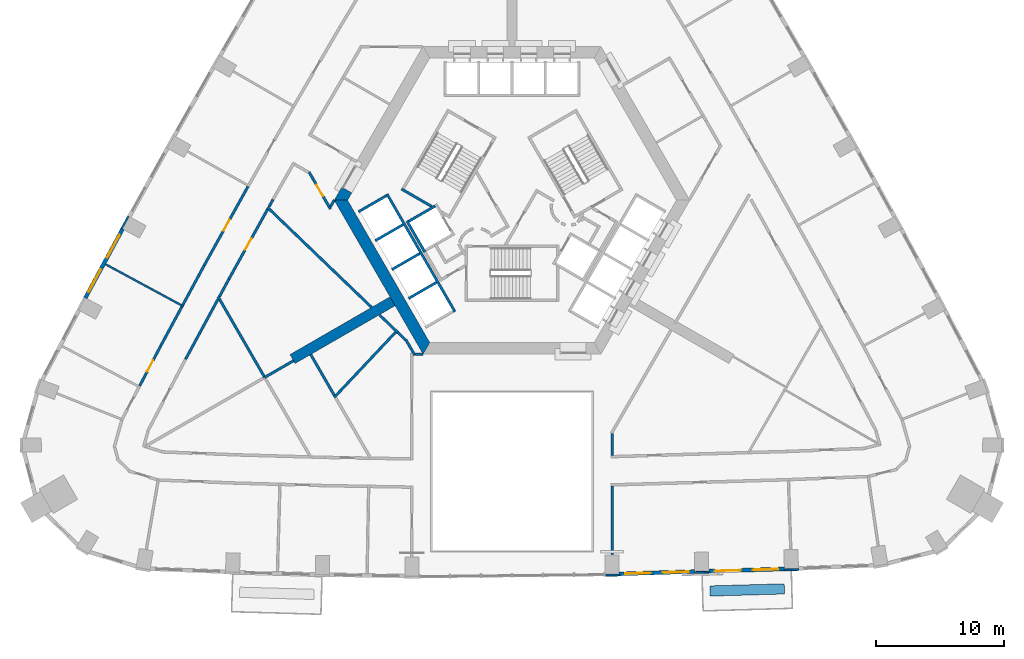
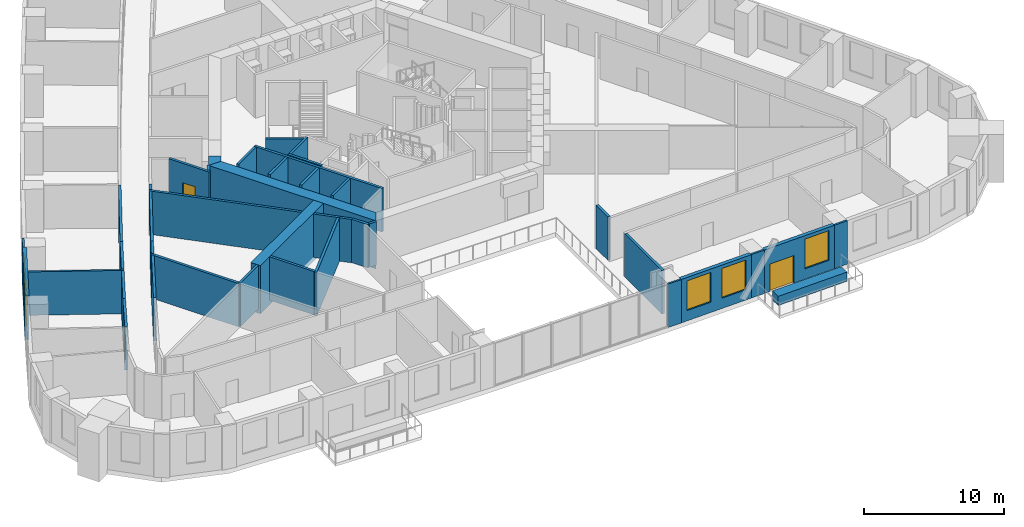
# One storey, part 5 of 14: 41 walls, 5 doors, 5 windows, 10 openings.
"""IFC4 building model written with IfcOpenShell, lengths in metres."""

from ifc_helpers import new_model, si_unit, direction, frame, frame_2d, origin, place, context, subcontext, project, spatial, polyline, rectangle, outline, extrude, material, layer, layer_set, type_object, element, fill, save


model = new_model("IFC4")

# Units and contexts
model_context = context("Model", 3, precision=1e-05, world=origin(), true_north=direction((0.0, 1.0)))
body_context = subcontext(model_context, "Body", "Model", "MODEL_VIEW")
ifc_project = project(units=[si_unit("LENGTHUNIT", "METRE"), si_unit("AREAUNIT", "SQUARE_METRE"), si_unit("VOLUMEUNIT", "CUBIC_METRE"), si_unit("PLANEANGLEUNIT", "RADIAN"), si_unit("MASSUNIT", "GRAM", prefix="KILO")], contexts=[model_context])

# Site, building, storey
site_placement = place(None, origin())
site = spatial("IfcSite", under=ifc_project, at=site_placement, CompositionType="ELEMENT")
building_placement = place(site_placement, origin())
building = spatial("IfcBuilding", under=site, at=building_placement, Name="Entoto Arch Interchange Tower", CompositionType="ELEMENT")
storey_placement = place(building_placement, frame((0.0, 0.0, 103.39990234375)))
storey = spatial("IfcBuildingStorey", under=building, at=storey_placement, Name="L22", CompositionType="ELEMENT", Elevation=103.39990234375)

# Walls
ifc_material_1 = material(Name="Concrete C60/75", Category="concrete")
ifc_layer_1 = layer(ifc_material_1, 0.800048828125)
ifc_layer_set_1 = layer_set([ifc_layer_1], Name="Concrete C60/75")
wall_type_1 = type_object("IfcWallType", Name="Buttress wall 800 C60/75", PredefinedType="SHEAR", material=ifc_layer_set_1)
wall_1_placement = place(storey_placement, frame((-9.31005859375, -5.375, -0.39990234375), z_axis=(0.0, 0.0, 1.0), x_axis=(-0.866017533419, -0.500013631625, 0.0)))
element("IfcWall", 1, at=wall_1_placement, inside=storey, type_object=wall_type_1, Name="Buttress wall SW L22", PredefinedType="SHEAR", context=body_context, shape_type="SweptSolid", body=[
    extrude(rectangle(XDim=8.999755859375, YDim=0.800048828125, at=frame_2d((4.5, 0.0))), origin(), (0.0, 0.0, 1.0), 4.199951171875),
])
ifc_layer_2 = layer(ifc_material_1, 0.89990234375)
ifc_layer_set_2 = layer_set([ifc_layer_2], Name="Concrete C60/75")
wall_type_2 = type_object("IfcWallType", Name="Core wall 900 C60/75", PredefinedType="SHEAR", material=ifc_layer_set_2)
wall_2_placement = place(storey_placement, frame((0.0, 0.0, -0.39990234375)))
element("IfcWall", 2, at=wall_2_placement, inside=storey, type_object=wall_type_2, Name="Core wall NW L22", PredefinedType="SHEAR", context=body_context, shape_type="SweptSolid", body=[
    extrude(outline(polyline([(-12.488037109375, 3.070068359375), (-13.26708984375, 3.52001953125), (-13.85595703125, 2.5), (-12.81689453125, 2.5), (-12.488037109375, 3.070068359375)])), origin(), (0.0, 0.0, 1.0), 4.199951171875),
])
wall_3_placement = place(storey_placement, frame((0.0, 0.0, -0.39990234375)))
element("IfcWall", 3, at=wall_3_placement, inside=storey, type_object=wall_type_2, Name="Core wall SW L22", PredefinedType="SHEAR", context=body_context, shape_type="SweptSolid", body=[
    extrude(outline(polyline([(-13.85595703125, 2.5), (-6.927978515625, -9.5), (-6.408935546875, -8.60009765625), (-12.81689453125, 2.5), (-13.85595703125, 2.5)])), origin(), (0.0, 0.0, 1.0), 4.199951171875),
])
ifc_material_2 = material(Name="Concrete C40/50", Category="concrete")
ifc_layer_3 = layer(ifc_material_2, 0.199951171875)
ifc_layer_set_3 = layer_set([ifc_layer_3], Name="Concrete C40/50")
wall_type_3 = type_object("IfcWallType", Name="LIFT SHAFT WALL 200", PredefinedType="STANDARD", material=ifc_layer_set_3)
wall_4_placement = place(storey_placement, frame((-8.19189453125, 0.887939453125, 0.0), z_axis=(0.0, 0.0, 1.0), x_axis=(0.49994636267, -0.866056369097, 0.0)))
element("IfcWall", 4, at=wall_4_placement, inside=storey, type_object=wall_type_3, Name="Shaft wall SW1 back", PredefinedType="STANDARD", context=body_context, shape_type="SweptSolid", body=[
    extrude(rectangle(XDim=2.800048828125, YDim=0.199951171875, at=frame_2d((1.39990234375, 0.0))), origin(), (0.0, 0.0, 1.0), 3.800048828125),
])
wall_5_placement = place(storey_placement, frame((-5.97705078125, 2.052001953125, 0.0), z_axis=(0.0, 0.0, 1.0), x_axis=(-0.865973769406, -0.500089422704, 0.0)))
element("IfcWall", 5, at=wall_5_placement, inside=storey, type_object=wall_type_3, Name="Shaft wall SW1 cross 1", PredefinedType="STANDARD", context=body_context, shape_type="SweptSolid", body=[
    extrude(rectangle(XDim=2.3994140625, YDim=0.199951171875, at=frame_2d((1.19970703125, 0.0))), origin(), (0.0, 0.0, 1.0), 3.800048828125),
])
wall_6_placement = place(storey_placement, frame((-9.7509765625, 2.989990234375, 0.0), z_axis=(0.0, 0.0, 1.0), x_axis=(0.50000090737, -0.866024879913, 0.0)))
element("IfcWall", 6, at=wall_6_placement, inside=storey, type_object=wall_type_3, Name="Shaft wall SW3 front", PredefinedType="STANDARD", context=body_context, shape_type="SweptSolid", body=[
    extrude(rectangle(XDim=10.60009765625, YDim=0.199951171875, at=frame_2d((5.300048828125, 0.0))), origin(), (0.0, 0.0, 1.0), 3.800048828125),
])
wall_7_placement = place(storey_placement, frame((-9.7880859375, 2.85302734375, 0.0), z_axis=(0.0, 0.0, 1.0), x_axis=(-0.865998541277, -0.500046524342, 0.0)))
element("IfcWall", 7, at=wall_7_placement, inside=storey, type_object=wall_type_3, Name="Shaft wall SW3 cross 1", PredefinedType="STANDARD", context=body_context, shape_type="SweptSolid", body=[
    extrude(rectangle(XDim=2.499755859375, YDim=0.199951171875, at=frame_2d((1.25, 0.0))), origin(), (0.0, 0.0, 1.0), 3.800048828125),
])
for number, where, z_axis, x_axis, name in (
    (8, (-8.488037109375, 0.60205078125, 0.0), (0.0, 0.0, 1.0), (-0.866022959057, -0.500004234368, 0.0), "Shaft wall SW3 cross 2"),
    (9, (-7.18798828125, -1.64990234375, 0.0), (0.0, 0.0, 1.0), (-0.866022959057, -0.500004234368, 0.0), "Shaft wall SW3 cross 3"),
    (10, (-5.887939453125, -3.902099609375, 0.0), (0.0, 0.0, 1.0), (-0.866022959057, -0.500004234368, 0.0), "Shaft wall SW3 cross 4"),
):
    element("IfcWall", number, at=place(storey_placement, frame(where, z_axis=z_axis, x_axis=x_axis)), inside=storey, type_object=wall_type_3, Name=name, PredefinedType="STANDARD", context=body_context, shape_type="SweptSolid", body=[
        extrude(rectangle(XDim=2.5, YDim=0.199951171875, at=frame_2d((1.25, 0.0))), origin(), (0.0, 0.0, 1.0), 3.800048828125),
    ])
ifc_material_3 = material(Name="Gypsum board partition on steel studs", Category="steel")
ifc_layer_4 = layer(ifc_material_3, 0.14990234375)
ifc_layer_set_4 = layer_set([ifc_layer_4], Name="Gypsum board partition on steel studs")
wall_type_4 = type_object("IfcWallType", Name="PARTITION 150", PredefinedType="PARTITIONING", material=ifc_layer_set_4)
wall_8_placement = place(storey_placement, frame((-25.60595703125, -5.77490234375, 0.0), z_axis=(0.0, 0.0, 1.0), x_axis=(-0.87974530848, 0.475445256793, 0.0)))
element("IfcWall", 11, at=wall_8_placement, inside=storey, type_object=wall_type_4, Name="wall:L22:p150", PredefinedType="PARTITIONING", context=body_context, shape_type="SweptSolid", body=[
    extrude(rectangle(XDim=6.90087890625, YDim=0.14990234375, at=frame_2d((3.450439453125, 0.0))), origin(), (0.0, 0.0, 1.0), 3.800048828125),
])
ifc_layer_5 = layer(ifc_material_3, 0.199951171875)
ifc_layer_set_5 = layer_set([ifc_layer_5], Name="Gypsum board partition on steel studs")
wall_type_5 = type_object("IfcWallType", Name="PARTITION 200", PredefinedType="PARTITIONING", material=ifc_layer_set_5)
wall_9_placement = place(storey_placement, frame((-13.85009765625, 2.513916015625, 0.0), z_axis=(0.0, 0.0, 1.0), x_axis=(-0.500418219013, -0.865783810244, 0.0)))
element("IfcWall", 12, at=wall_9_placement, inside=storey, type_object=wall_type_5, Name="wall:L22:p027", PredefinedType="PARTITIONING", context=body_context, shape_type="SweptSolid", body=[
    extrude(rectangle(XDim=0.607421875, YDim=0.199951171875, at=frame_2d((0.3037109375, 0.0))), origin(), (0.0, 0.0, 1.0), 3.800048828125),
])

# Wall, opening, door
wall_10_placement = place(storey_placement, frame((-14.154052734375, 1.81494140625, 0.0), z_axis=(0.0, 0.0, 1.0), x_axis=(-0.500038857296, 0.866002968352, 0.0)))
wall_10 = element("IfcWall", 13, at=wall_10_placement, inside=storey, type_object=wall_type_5, Name="wall:L22:p028", PredefinedType="PARTITIONING", context=body_context, shape_type="SweptSolid", body=[
    extrude(rectangle(XDim=3.339599609375, YDim=0.199951171875, at=frame_2d((1.669921875, 0.0))), origin(), (0.0, 0.0, 1.0), 3.800048828125),
])
opening_1_placement = place(wall_10_placement, frame((1.169921875, 0.0, 0.0)))
opening_1 = element("IfcOpeningElement", 14, at=opening_1_placement, cuts=wall_10, Name="Opening L22-D26", PredefinedType="OPENING", context=body_context, shape_type="SweptSolid", body=[
    extrude(rectangle(XDim=1.0, YDim=2.10009765625, at=frame_2d((0.5, 1.050048828125))), frame((0.0, 0.10986328125, 0.0), z_axis=(0.0, -1.0, 0.0), x_axis=(1.0, 0.0, 0.0)), (0.0, 0.0, 1.0), 0.219970703125),
])
ifc_material_4 = material(Name="Timber door leaf in Steel S235 frame", Category="steel")
door_type_1 = type_object("IfcDoorType", Name="DOOR DS-10 1000x2100", OperationType="SINGLE_SWING_LEFT", PredefinedType="DOOR", material=ifc_material_4)
door_1_placement = place(opening_1_placement, origin())
door_1 = element("IfcDoor", 15, at=door_1_placement, inside=storey, type_object=door_type_1, Name="door:L22:26", OperationType="SINGLE_SWING_LEFT", OverallHeight=2.10009765625, OverallWidth=1.0, PredefinedType="DOOR", context=body_context, shape_type="SweptSolid", body=[
    extrude(rectangle(XDim=1.0, YDim=2.10009765625, at=frame_2d((0.5, 1.050048828125))), frame((0.0, 0.02490234375, 0.0), z_axis=(0.0, -1.0, 0.0), x_axis=(1.0, 0.0, 0.0)), (0.0, 0.0, 1.0), 0.050048828125),
])
fill(opening_1, door_1)

# Wall
wall_11_placement = place(storey_placement, frame((-18.626953125, 2.556884765625, 0.0), z_axis=(0.0, 0.0, 1.0), x_axis=(-0.484771582084, -0.874640790956, 0.0)))
element("IfcWall", 16, at=wall_11_placement, inside=storey, type_object=wall_type_5, Name="wall:L22:p031", PredefinedType="PARTITIONING", context=body_context, shape_type="SweptSolid", body=[
    extrude(rectangle(XDim=0.666259765625, YDim=0.199951171875, at=frame_2d((0.3330078125, 0.0))), origin(), (0.0, 0.0, 1.0), 3.800048828125),
])

# Wall, opening, door
wall_12_placement = place(storey_placement, frame((-19.047119140625, 1.799072265625, 0.0), z_axis=(0.0, 0.0, 1.0), x_axis=(-0.485240396382, -0.87438078531, 0.0)))
wall_12 = element("IfcWall", 17, at=wall_12_placement, inside=storey, type_object=wall_type_5, Name="wall:L22:p033", PredefinedType="PARTITIONING", context=body_context, shape_type="SweptSolid", body=[
    extrude(rectangle(XDim=6.231689453125, YDim=0.199951171875, at=frame_2d((3.11572265625, 0.0))), origin(), (0.0, 0.0, 1.0), 3.800048828125),
])
opening_2_placement = place(wall_12_placement, frame((2.615966796875, 0.0, 0.0)))
opening_2 = element("IfcOpeningElement", 18, at=opening_2_placement, cuts=wall_12, Name="Opening L22-D28", PredefinedType="OPENING", context=body_context, shape_type="SweptSolid", body=[
    extrude(rectangle(XDim=1.0, YDim=2.10009765625, at=frame_2d((0.5, 1.050048828125))), frame((0.0, 0.10986328125, 0.0), z_axis=(0.0, -1.0, 0.0), x_axis=(1.0, 0.0, 0.0)), (0.0, 0.0, 1.0), 0.219970703125),
])
door_2_placement = place(opening_2_placement, origin())
door_2 = element("IfcDoor", 19, at=door_2_placement, inside=storey, type_object=door_type_1, Name="door:L22:28", OperationType="SINGLE_SWING_LEFT", OverallHeight=2.10009765625, OverallWidth=1.0, PredefinedType="DOOR", context=body_context, shape_type="SweptSolid", body=[
    extrude(rectangle(XDim=1.0, YDim=2.10009765625, at=frame_2d((0.5, 1.050048828125))), frame((0.0, 0.02490234375, 0.0), z_axis=(0.0, -1.0, 0.0), x_axis=(1.0, 0.0, 0.0)), (0.0, 0.0, 1.0), 0.050048828125),
])
fill(opening_2, door_2)

# Walls
wall_13_placement = place(storey_placement, frame((-22.071044921875, -3.64990234375, 0.0), z_axis=(0.0, 0.0, 1.0), x_axis=(-0.475212034938, -0.879871309823, 0.0)))
element("IfcWall", 20, at=wall_13_placement, inside=storey, type_object=wall_type_5, Name="wall:L22:p034", PredefinedType="PARTITIONING", context=body_context, shape_type="SweptSolid", body=[
    extrude(rectangle(XDim=1.55712890625, YDim=0.199951171875, at=frame_2d((0.778564453125, 0.0))), origin(), (0.0, 0.0, 1.0), 3.800048828125),
])
wall_14_placement = place(storey_placement, frame((-22.906005859375, -5.196044921875, 0.0), z_axis=(0.0, 0.0, 1.0), x_axis=(-0.475448213767, -0.879743710421, 0.0)))
element("IfcWall", 21, at=wall_14_placement, inside=storey, type_object=wall_type_5, Name="wall:L22:p037", PredefinedType="PARTITIONING", context=body_context, shape_type="SweptSolid", body=[
    extrude(rectangle(XDim=5.342529296875, YDim=0.199951171875, at=frame_2d((2.67138671875, 0.0))), origin(), (0.0, 0.0, 1.0), 3.800048828125),
])
wall_15_placement = place(storey_placement, frame((-25.657958984375, -5.660888671875, 0.0), z_axis=(0.0, 0.0, 1.0), x_axis=(0.47543942367, 0.87974846088, 0.0)))
element("IfcWall", 22, at=wall_15_placement, inside=storey, type_object=wall_type_5, Name="wall:L22:p070", PredefinedType="PARTITIONING", context=body_context, shape_type="SweptSolid", body=[
    extrude(rectangle(XDim=3.4873046875, YDim=0.199951171875, at=frame_2d((1.74365234375, 0.0))), origin(), (0.0, 0.0, 1.0), 3.800048828125),
])

# Wall, opening, door
wall_16_placement = place(storey_placement, frame((-24.0, -2.593017578125, 0.0), z_axis=(0.0, 0.0, 1.0), x_axis=(0.485148833338, 0.874431592242, 0.0)))
wall_16 = element("IfcWall", 23, at=wall_16_placement, inside=storey, type_object=wall_type_5, Name="wall:L22:p071", PredefinedType="PARTITIONING", context=body_context, shape_type="SweptSolid", body=[
    extrude(rectangle(XDim=7.04931640625, YDim=0.199951171875, at=frame_2d((3.524658203125, 0.0))), origin(), (0.0, 0.0, 1.0), 3.800048828125),
])
opening_3_placement = place(wall_16_placement, frame((3.09912109375, 0.0, 0.0)))
opening_3 = element("IfcOpeningElement", 24, at=opening_3_placement, cuts=wall_16, Name="Opening L22-D14", PredefinedType="OPENING", context=body_context, shape_type="SweptSolid", body=[
    extrude(rectangle(XDim=1.0, YDim=2.10009765625, at=frame_2d((0.5, 1.050048828125))), frame((0.0, 0.10986328125, 0.0), z_axis=(0.0, -1.0, 0.0), x_axis=(1.0, 0.0, 0.0)), (0.0, 0.0, 1.0), 0.219970703125),
])
door_3_placement = place(opening_3_placement, origin())
door_3 = element("IfcDoor", 25, at=door_3_placement, inside=storey, type_object=door_type_1, Name="door:L22:14", OperationType="SINGLE_SWING_LEFT", OverallHeight=2.10009765625, OverallWidth=1.0, PredefinedType="DOOR", context=body_context, shape_type="SweptSolid", body=[
    extrude(rectangle(XDim=1.0, YDim=2.10009765625, at=frame_2d((0.5, 1.050048828125))), frame((0.0, 0.02490234375, 0.0), z_axis=(0.0, -1.0, 0.0), x_axis=(1.0, 0.0, 0.0)), (0.0, 0.0, 1.0), 0.050048828125),
])
fill(opening_3, door_3)

wall_17_placement = place(storey_placement, frame((-29.02294921875, -11.971923828125, 0.0), z_axis=(0.0, 0.0, 1.0), x_axis=(0.465457263931, 0.885070356217, 0.0)))
wall_17 = element("IfcWall", 26, at=wall_17_placement, inside=storey, type_object=wall_type_5, Name="wall:L22:p072", PredefinedType="PARTITIONING", context=body_context, shape_type="SweptSolid", body=[
    extrude(rectangle(XDim=3.514892578125, YDim=0.199951171875, at=frame_2d((1.75732421875, 0.0))), origin(), (0.0, 0.0, 1.0), 3.800048828125),
])
opening_4_placement = place(wall_17_placement, frame((1.257080078125, 0.0, 0.0)))
opening_4 = element("IfcOpeningElement", 27, at=opening_4_placement, cuts=wall_17, Name="Opening L22-D15", PredefinedType="OPENING", context=body_context, shape_type="SweptSolid", body=[
    extrude(rectangle(XDim=1.0, YDim=2.10009765625, at=frame_2d((0.5, 1.050048828125))), frame((0.0, 0.10986328125, 0.0), z_axis=(0.0, -1.0, 0.0), x_axis=(1.0, 0.0, 0.0)), (0.0, 0.0, 1.0), 0.219970703125),
])
door_4_placement = place(opening_4_placement, origin())
door_4 = element("IfcDoor", 28, at=door_4_placement, inside=storey, type_object=door_type_1, Name="door:L22:15", OperationType="SINGLE_SWING_RIGHT", OverallHeight=2.10009765625, OverallWidth=1.0, PredefinedType="DOOR", context=body_context, shape_type="SweptSolid", body=[
    extrude(rectangle(XDim=1.0, YDim=2.10009765625, at=frame_2d((0.5, 1.050048828125))), frame((0.0, 0.02490234375, 0.0), z_axis=(0.0, -1.0, 0.0), x_axis=(1.0, 0.0, 0.0)), (0.0, 0.0, 1.0), 0.050048828125),
])
fill(opening_4, door_4)

# Walls
wall_18_placement = place(storey_placement, frame((-27.386962890625, -8.861083984375, 0.0), z_axis=(0.0, 0.0, 1.0), x_axis=(0.475193364801, 0.879881393171, 0.0)))
element("IfcWall", 29, at=wall_18_placement, inside=storey, type_object=wall_type_5, Name="wall:L22:p073", PredefinedType="PARTITIONING", context=body_context, shape_type="SweptSolid", body=[
    extrude(rectangle(XDim=3.487060546875, YDim=0.199951171875, at=frame_2d((1.74365234375, 0.0))), origin(), (0.0, 0.0, 1.0), 3.800048828125),
])
wall_19_placement = place(storey_placement, frame((7.800048828125, -15.68994140625, 0.0), z_axis=(0.0, 0.0, 1.0), x_axis=(0.0, -1.0, 0.0)))
element("IfcWall", 30, at=wall_19_placement, inside=storey, type_object=wall_type_5, Name="wall:L22:p115", PredefinedType="PARTITIONING", context=body_context, shape_type="SweptSolid", body=[
    extrude(rectangle(XDim=1.699951171875, YDim=0.199951171875, at=frame_2d((0.85009765625, 0.0))), origin(), (0.0, 0.0, 1.0), 3.800048828125),
])
wall_20_placement = place(storey_placement, frame((-7.52197265625, -9.4990234375, 0.0), z_axis=(0.0, 0.0, 1.0), x_axis=(1.0, 0.0, 0.0)))
element("IfcWall", 31, at=wall_20_placement, inside=storey, type_object=wall_type_5, Name="wall:L22:p116", PredefinedType="PARTITIONING", context=body_context, shape_type="SweptSolid", body=[
    extrude(rectangle(XDim=0.593017578125, YDim=0.199951171875, at=frame_2d((0.29638671875, 0.0))), origin(), (0.0, 0.0, 1.0), 3.800048828125),
])
wall_21_placement = place(storey_placement, frame((7.800048828125, -19.791015625, 0.0), z_axis=(0.0, 0.0, 1.0), x_axis=(0.0, -1.0, 0.0)))
element("IfcWall", 32, at=wall_21_placement, inside=storey, type_object=wall_type_5, Name="wall:L22:p118", PredefinedType="PARTITIONING", context=body_context, shape_type="SweptSolid", body=[
    extrude(rectangle(XDim=5.3330078125, YDim=0.199951171875, at=frame_2d((2.66650390625, 0.0))), origin(), (0.0, 0.0, 1.0), 3.800048828125),
])
wall_22_placement = place(storey_placement, frame((-8.929931640625, -7.782958984375, 0.0), z_axis=(0.0, 0.0, 1.0), x_axis=(0.720954255291, -0.692982656189, 0.0)))
element("IfcWall", 33, at=wall_22_placement, inside=storey, type_object=wall_type_5, Name="wall:L22:p127", PredefinedType="PARTITIONING", context=body_context, shape_type="SweptSolid", body=[
    extrude(rectangle(XDim=0.890380859375, YDim=0.199951171875, at=frame_2d((0.4453125, 0.0))), origin(), (0.0, 0.0, 1.0), 3.800048828125),
])
wall_23_placement = place(storey_placement, frame((-7.572021484375, -9.5859375, 0.0), z_axis=(0.0, 0.0, 1.0), x_axis=(-0.499484152563, 0.866323023669, 0.0)))
element("IfcWall", 34, at=wall_23_placement, inside=storey, type_object=wall_type_5, Name="wall:L22:p128", PredefinedType="PARTITIONING", context=body_context, shape_type="SweptSolid", body=[
    extrude(rectangle(XDim=1.3896484375, YDim=0.199951171875, at=frame_2d((0.69482421875, 0.0))), origin(), (0.0, 0.0, 1.0), 3.800048828125),
])
wall_24_placement = place(storey_placement, frame((-8.929931640625, -7.782958984375, 0.0), z_axis=(0.0, 0.0, 1.0), x_axis=(-0.72124523191, 0.692679807305, 0.0)))
element("IfcWall", 35, at=wall_24_placement, inside=storey, type_object=wall_type_5, Name="wall:L22:p129", PredefinedType="PARTITIONING", context=body_context, shape_type="SweptSolid", body=[
    extrude(rectangle(XDim=1.923095703125, YDim=0.199951171875, at=frame_2d((0.96142578125, 0.0))), origin(), (0.0, 0.0, 1.0), 3.800048828125),
])
wall_25_placement = place(storey_placement, frame((-13.864990234375, -12.8759765625, 0.0), z_axis=(0.0, 0.0, 1.0), x_axis=(0.685651384846, 0.727930064263, 0.0)))
element("IfcWall", 36, at=wall_25_placement, inside=storey, type_object=wall_type_5, Name="wall:L22:p130", PredefinedType="PARTITIONING", context=body_context, shape_type="SweptSolid", body=[
    extrude(rectangle(XDim=7.091064453125, YDim=0.199951171875, at=frame_2d((3.54541015625, 0.0))), origin(), (0.0, 0.0, 1.0), 3.800048828125),
])
wall_26_placement = place(storey_placement, frame((-13.846923828125, -12.716064453125, 0.0), z_axis=(0.0, 0.0, 1.0), x_axis=(-0.499861859587, 0.866105144501, 0.0)))
element("IfcWall", 37, at=wall_26_placement, inside=storey, type_object=wall_type_5, Name="wall:L22:p132", PredefinedType="PARTITIONING", context=body_context, shape_type="SweptSolid", body=[
    extrude(rectangle(XDim=3.68896484375, YDim=0.199951171875, at=frame_2d((1.844482421875, 0.0))), origin(), (0.0, 0.0, 1.0), 3.800048828125),
])
wall_27_placement = place(storey_placement, frame((-17.027099609375, -10.009033203125, 0.0), z_axis=(0.0, 0.0, 1.0), x_axis=(-0.865950948929, -0.500128937424, 0.0)))
element("IfcWall", 38, at=wall_27_placement, inside=storey, type_object=wall_type_5, Name="wall:L22:p133", PredefinedType="PARTITIONING", context=body_context, shape_type="SweptSolid", body=[
    extrude(rectangle(XDim=2.599365234375, YDim=0.199951171875, at=frame_2d((1.2998046875, 0.0))), origin(), (0.0, 0.0, 1.0), 3.800048828125),
])
wall_28_placement = place(storey_placement, frame((-19.278076171875, -11.30908203125, 0.0), z_axis=(0.0, 0.0, 1.0), x_axis=(-0.500044545065, 0.865999684151, 0.0)))
element("IfcWall", 39, at=wall_28_placement, inside=storey, type_object=wall_type_5, Name="wall:L22:p134", PredefinedType="PARTITIONING", context=body_context, shape_type="SweptSolid", body=[
    extrude(rectangle(XDim=7.260986328125, YDim=0.199951171875, at=frame_2d((3.63037109375, 0.0))), origin(), (0.0, 0.0, 1.0), 3.800048828125),
])
wall_29_placement = place(storey_placement, frame((-10.9599609375, -5.833984375, 0.0), z_axis=(0.0, 0.0, 1.0), x_axis=(-0.721236335428, 0.692689070549, 0.0)))
element("IfcWall", 40, at=wall_29_placement, inside=storey, type_object=wall_type_5, Name="wall:L22:p129", PredefinedType="PARTITIONING", context=body_context, shape_type="SweptSolid", body=[
    extrude(rectangle(XDim=11.24609375, YDim=0.199951171875, at=frame_2d((5.623046875, 0.0))), origin(), (0.0, 0.0, 1.0), 3.800048828125),
])
ifc_material_5 = material(Name="Board-marked precast concrete C50/60", Category="concrete")
ifc_layer_6 = layer(ifc_material_5, 0.800048828125)
ifc_layer_set_6 = layer_set([ifc_layer_6], Name="Board-marked precast concrete C50/60")
wall_type_6 = type_object("IfcWallType", Name="PLANTER RC 800 Juniperus procera", PredefinedType="STANDARD", material=ifc_layer_set_6)
wall_30_placement = place(storey_placement, frame((15.43505859375, -27.9609375, 0.0), z_axis=(0.0, 0.0, 1.0), x_axis=(0.999589746939, 0.028641540027, 0.0)))
element("IfcWall", 41, at=wall_30_placement, inside=storey, type_object=wall_type_6, Name="Planter S-06 L22", PredefinedType="STANDARD", context=body_context, shape_type="SweptSolid", body=[
    extrude(rectangle(XDim=5.79638671875, YDim=0.800048828125, at=frame_2d((2.898193359375, 0.0))), origin(), (0.0, 0.0, 1.0), 0.800048828125),
])
ifc_layer_7 = layer(ifc_material_2, 0.199951171875)
ifc_layer_set_7 = layer_set([ifc_layer_7], Name="Concrete C40/50")
wall_type_7 = type_object("IfcWallType", Name="STAIR ENCLOSURE WALL 200", PredefinedType="STANDARD", material=ifc_layer_set_7)
wall_31_placement = place(storey_placement, frame((-6.25, 2.010009765625, 0.0), z_axis=(0.0, 0.0, 1.0), x_axis=(-0.86611865017, 0.499838457731, 0.0)))
element("IfcWall", 42, at=wall_31_placement, inside=storey, type_object=wall_type_7, Name="Stair wall ST-NW far", PredefinedType="STANDARD", context=body_context, shape_type="SweptSolid", body=[
    extrude(rectangle(XDim=2.73291015625, YDim=0.199951171875, at=frame_2d((1.366455078125, 0.0))), origin(), (0.0, 0.0, 1.0), 3.800048828125),
])

# Wall, openings, windows
ifc_material_6 = material(Name="Welded tuff (ignimbrite) cladding, warm buff", Category="masonry")
ifc_layer_8 = layer(ifc_material_6, 0.300048828125)
ifc_layer_set_8 = layer_set([ifc_layer_8], Name="Welded tuff (ignimbrite) cladding, warm buff")
wall_type_8 = type_object("IfcWallType", Name="STONE INFILL WALL 300", PredefinedType="STANDARD", material=ifc_layer_set_8)
wall_32_placement = place(storey_placement, frame((8.346923828125, -26.626953125, 0.0), z_axis=(0.0, 0.0, 1.0), x_axis=(0.999529601824, 0.030668796478, 0.0)))
wall_32 = element("IfcWall", 43, at=wall_32_placement, inside=storey, type_object=wall_type_8, Name="Facade wall S-05 L22", PredefinedType="STANDARD", context=body_context, shape_type="SweptSolid", body=[
    extrude(rectangle(XDim=5.898681640625, YDim=0.300048828125, at=frame_2d((2.94921875, 0.0))), origin(), (0.0, 0.0, 1.0), 3.800048828125),
])
opening_5_placement = place(wall_32_placement, frame((0.47509765625, 0.0, 0.89990234375)))
opening_5 = element("IfcOpeningElement", 44, at=opening_5_placement, cuts=wall_32, Name="Opening WO-C", PredefinedType="OPENING", context=body_context, shape_type="SweptSolid", body=[
    extrude(rectangle(XDim=2.0, YDim=2.60009765625, at=frame_2d((1.0, 1.300048828125))), frame((0.0, 0.16015625, 0.0), z_axis=(0.0, -1.0, 0.0), x_axis=(1.0, 0.0, 0.0)), (0.0, 0.0, 1.0), 0.320068359375),
])
opening_6_placement = place(wall_32_placement, frame((3.424072265625, 0.0, 0.89990234375)))
opening_6 = element("IfcOpeningElement", 45, at=opening_6_placement, cuts=wall_32, Name="Opening WO-C", PredefinedType="OPENING", context=body_context, shape_type="SweptSolid", body=[
    extrude(rectangle(XDim=2.0, YDim=2.60009765625, at=frame_2d((1.0, 1.300048828125))), frame((0.0, 0.16015625, 0.0), z_axis=(0.0, -1.0, 0.0), x_axis=(1.0, 0.0, 0.0)), (0.0, 0.0, 1.0), 0.320068359375),
])
ifc_material_7 = material(Name="Clear glass, low-e double glazed", Category="glass")
window_type = type_object("IfcWindowType", Name="WINDOW WO-C 2000x2600", PartitioningType="DOUBLE_PANEL_VERTICAL", PredefinedType="WINDOW", material=ifc_material_7)
window_1_placement = place(opening_5_placement, origin())
window_1 = element("IfcWindow", 46, at=window_1_placement, inside=storey, type_object=window_type, Name="Window WO-C S-05 L22", OverallHeight=2.60009765625, OverallWidth=2.0, PartitioningType="SINGLE_PANEL", PredefinedType="WINDOW", context=body_context, shape_type="SweptSolid", body=[
    extrude(rectangle(XDim=2.0, YDim=2.60009765625, at=frame_2d((1.0, 1.300048828125))), frame((0.0, 0.030029296875, 0.0), z_axis=(0.0, -1.0, 0.0), x_axis=(1.0, 0.0, 0.0)), (0.0, 0.0, 1.0), 0.06005859375),
])
fill(opening_5, window_1)
window_2_placement = place(opening_6_placement, origin())
window_2 = element("IfcWindow", 47, at=window_2_placement, inside=storey, type_object=window_type, Name="Window WO-C S-05 L22", OverallHeight=2.60009765625, OverallWidth=2.0, PartitioningType="SINGLE_PANEL", PredefinedType="WINDOW", context=body_context, shape_type="SweptSolid", body=[
    extrude(rectangle(XDim=2.0, YDim=2.60009765625, at=frame_2d((1.0, 1.300048828125))), frame((0.0, 0.030029296875, 0.0), z_axis=(0.0, -1.0, 0.0), x_axis=(1.0, 0.0, 0.0)), (0.0, 0.0, 1.0), 0.06005859375),
])
fill(opening_6, window_2)

# Wall, openings, door, window
wall_33_placement = place(storey_placement, frame((15.340087890625, -26.4130859375, 0.0), z_axis=(0.0, 0.0, 1.0), x_axis=(0.999588397616, 0.028688592709, 0.0)))
wall_33 = element("IfcWall", 48, at=wall_33_placement, inside=storey, type_object=wall_type_8, Name="Facade wall S-06 L22", PredefinedType="STANDARD", context=body_context, shape_type="SweptSolid", body=[
    extrude(rectangle(XDim=5.8974609375, YDim=0.300048828125, at=frame_2d((2.94873046875, 0.0))), origin(), (0.0, 0.0, 1.0), 3.800048828125),
])
opening_7_placement = place(wall_33_placement, frame((0.47412109375, 0.0, 0.0)))
opening_7 = element("IfcOpeningElement", 49, at=opening_7_placement, cuts=wall_33, Name="Opening DB-S-06-L22", PredefinedType="OPENING", context=body_context, shape_type="SweptSolid", body=[
    extrude(rectangle(XDim=2.0, YDim=2.39990234375, at=frame_2d((1.0, 1.199951171875))), frame((0.0, 0.16015625, 0.0), z_axis=(0.0, -1.0, 0.0), x_axis=(1.0, 0.0, 0.0)), (0.0, 0.0, 1.0), 0.320068359375),
])
opening_8_placement = place(wall_33_placement, frame((3.423095703125, 0.0, 0.89990234375)))
opening_8 = element("IfcOpeningElement", 50, at=opening_8_placement, cuts=wall_33, Name="Opening WO-C", PredefinedType="OPENING", context=body_context, shape_type="SweptSolid", body=[
    extrude(rectangle(XDim=2.0, YDim=2.60009765625, at=frame_2d((1.0, 1.300048828125))), frame((0.0, 0.16015625, 0.0), z_axis=(0.0, -1.0, 0.0), x_axis=(1.0, 0.0, 0.0)), (0.0, 0.0, 1.0), 0.320068359375),
])
ifc_material_8 = material(Name="Aluminium and clear glass, anodised", Category="aluminium")
door_type_2 = type_object("IfcDoorType", Name="BALCONY DOOR DB 2000x2400", OperationType="SLIDING_TO_LEFT", PredefinedType="DOOR", material=ifc_material_8)
door_5_placement = place(opening_7_placement, origin())
door_5 = element("IfcDoor", 51, at=door_5_placement, inside=storey, type_object=door_type_2, Name="Balcony door S-06 L22", OperationType="SLIDING_TO_LEFT", OverallHeight=2.39990234375, OverallWidth=2.0, PredefinedType="DOOR", context=body_context, shape_type="SweptSolid", body=[
    extrude(rectangle(XDim=2.0, YDim=2.39990234375, at=frame_2d((1.0, 1.199951171875))), frame((0.0, 0.02490234375, 0.0), z_axis=(0.0, -1.0, 0.0), x_axis=(1.0, 0.0, 0.0)), (0.0, 0.0, 1.0), 0.050048828125),
])
fill(opening_7, door_5)
window_3_placement = place(opening_8_placement, origin())
window_3 = element("IfcWindow", 52, at=window_3_placement, inside=storey, type_object=window_type, Name="Window WO-C S-06 L22", OverallHeight=2.60009765625, OverallWidth=2.0, PartitioningType="SINGLE_PANEL", PredefinedType="WINDOW", context=body_context, shape_type="SweptSolid", body=[
    extrude(rectangle(XDim=2.0, YDim=2.60009765625, at=frame_2d((1.0, 1.300048828125))), frame((0.0, 0.030029296875, 0.0), z_axis=(0.0, -1.0, 0.0), x_axis=(1.0, 0.0, 0.0)), (0.0, 0.0, 1.0), 0.06005859375),
])
fill(opening_8, window_3)

# Wall, openings, windows
wall_34_placement = place(storey_placement, frame((-30.35693359375, 0.261962890625, 0.0), z_axis=(0.0, 0.0, 1.0), x_axis=(-0.475573079782, -0.879676216449, 0.0)))
wall_34 = element("IfcWall", 53, at=wall_34_placement, inside=storey, type_object=wall_type_8, Name="Facade wall NW-07 L22", PredefinedType="STANDARD", context=body_context, shape_type="SweptSolid", body=[
    extrude(rectangle(XDim=6.1044921875, YDim=0.300048828125, at=frame_2d((3.05224609375, 0.0))), origin(), (0.0, 0.0, 1.0), 3.800048828125),
])
opening_9_placement = place(wall_34_placement, frame((0.52587890625, 0.0, 0.89990234375)))
opening_9 = element("IfcOpeningElement", 54, at=opening_9_placement, cuts=wall_34, Name="Opening WO-C", PredefinedType="OPENING", context=body_context, shape_type="SweptSolid", body=[
    extrude(rectangle(XDim=2.0, YDim=2.60009765625, at=frame_2d((1.0, 1.300048828125))), frame((0.0, 0.16015625, 0.0), z_axis=(0.0, -1.0, 0.0), x_axis=(1.0, 0.0, 0.0)), (0.0, 0.0, 1.0), 0.320068359375),
])
opening_10_placement = place(wall_34_placement, frame((3.577880859375, 0.0, 0.89990234375)))
opening_10 = element("IfcOpeningElement", 55, at=opening_10_placement, cuts=wall_34, Name="Opening WO-C", PredefinedType="OPENING", context=body_context, shape_type="SweptSolid", body=[
    extrude(rectangle(XDim=2.0, YDim=2.60009765625, at=frame_2d((1.0, 1.300048828125))), frame((0.0, 0.16015625, 0.0), z_axis=(0.0, -1.0, 0.0), x_axis=(1.0, 0.0, 0.0)), (0.0, 0.0, 1.0), 0.320068359375),
])
window_4_placement = place(opening_9_placement, origin())
window_4 = element("IfcWindow", 56, at=window_4_placement, inside=storey, type_object=window_type, Name="Window WO-C NW-07 L22", OverallHeight=2.60009765625, OverallWidth=2.0, PartitioningType="SINGLE_PANEL", PredefinedType="WINDOW", context=body_context, shape_type="SweptSolid", body=[
    extrude(rectangle(XDim=2.0, YDim=2.60009765625, at=frame_2d((1.0, 1.300048828125))), frame((0.0, 0.030029296875, 0.0), z_axis=(0.0, -1.0, 0.0), x_axis=(1.0, 0.0, 0.0)), (0.0, 0.0, 1.0), 0.06005859375),
])
fill(opening_9, window_4)
window_5_placement = place(opening_10_placement, origin())
window_5 = element("IfcWindow", 57, at=window_5_placement, inside=storey, type_object=window_type, Name="Window WO-C NW-07 L22", OverallHeight=2.60009765625, OverallWidth=2.0, PartitioningType="SINGLE_PANEL", PredefinedType="WINDOW", context=body_context, shape_type="SweptSolid", body=[
    extrude(rectangle(XDim=2.0, YDim=2.60009765625, at=frame_2d((1.0, 1.300048828125))), frame((0.0, 0.030029296875, 0.0), z_axis=(0.0, -1.0, 0.0), x_axis=(1.0, 0.0, 0.0)), (0.0, 0.0, 1.0), 0.06005859375),
])
fill(opening_10, window_5)

# Walls
ifc_layer_9 = layer(ifc_material_6, 0.14990234375)
ifc_layer_set_9 = layer_set([ifc_layer_9], Name="Welded tuff (ignimbrite) cladding, warm buff")
wall_type_9 = type_object("IfcWallType", Name="STONE PIER CLADDING 150", PredefinedType="STANDARD", material=ifc_layer_set_9)
wall_35_placement = place(storey_placement, frame((-29.89794921875, 1.263916015625, 0.0), z_axis=(0.0, 0.0, 1.0), x_axis=(-0.479737645119, -0.877411985247, 0.0)))
element("IfcWall", 58, at=wall_35_placement, inside=storey, type_object=wall_type_9, Name="Stone pier NW07 L22", PredefinedType="STANDARD", context=body_context, shape_type="SweptSolid", body=[
    extrude(rectangle(XDim=1.100830078125, YDim=0.14990234375, at=frame_2d((0.55029296875, 0.0))), origin(), (0.0, 0.0, 1.0), 3.800048828125),
])
wall_36_placement = place(storey_placement, frame((7.2490234375, -26.72412109375, 0.0), z_axis=(0.0, 0.0, 1.0), x_axis=(0.99995860686, 0.009098602504, 0.0)))
element("IfcWall", 59, at=wall_36_placement, inside=storey, type_object=wall_type_9, Name="Stone pier S05 L22", PredefinedType="STANDARD", context=body_context, shape_type="SweptSolid", body=[
    extrude(rectangle(XDim=1.10009765625, YDim=0.14990234375, at=frame_2d((0.550048828125, 0.0))), origin(), (0.0, 0.0, 1.0), 3.800048828125),
])
wall_37_placement = place(storey_placement, frame((14.242919921875, -26.51708984375, 0.0), z_axis=(0.0, 0.0, 1.0), x_axis=(0.999718180159, 0.023739424163, 0.0)))
element("IfcWall", 60, at=wall_37_placement, inside=storey, type_object=wall_type_9, Name="Stone pier S06 L22", PredefinedType="STANDARD", context=body_context, shape_type="SweptSolid", body=[
    extrude(rectangle(XDim=1.100341796875, YDim=0.14990234375, at=frame_2d((0.55029296875, 0.0))), origin(), (0.0, 0.0, 1.0), 3.800048828125),
])
wall_38_placement = place(storey_placement, frame((21.237060546875, -26.322998046875, 0.0), z_axis=(0.0, 0.0, 1.0), x_axis=(0.999368780235, 0.035525217693, 0.0)))
element("IfcWall", 61, at=wall_38_placement, inside=storey, type_object=wall_type_9, Name="Stone pier S07 L22", PredefinedType="STANDARD", context=body_context, shape_type="SweptSolid", body=[
    extrude(rectangle(XDim=1.099609375, YDim=0.14990234375, at=frame_2d((0.5498046875, 0.0))), origin(), (0.0, 0.0, 1.0), 3.800048828125),
])

save(model, "model.ifc")
